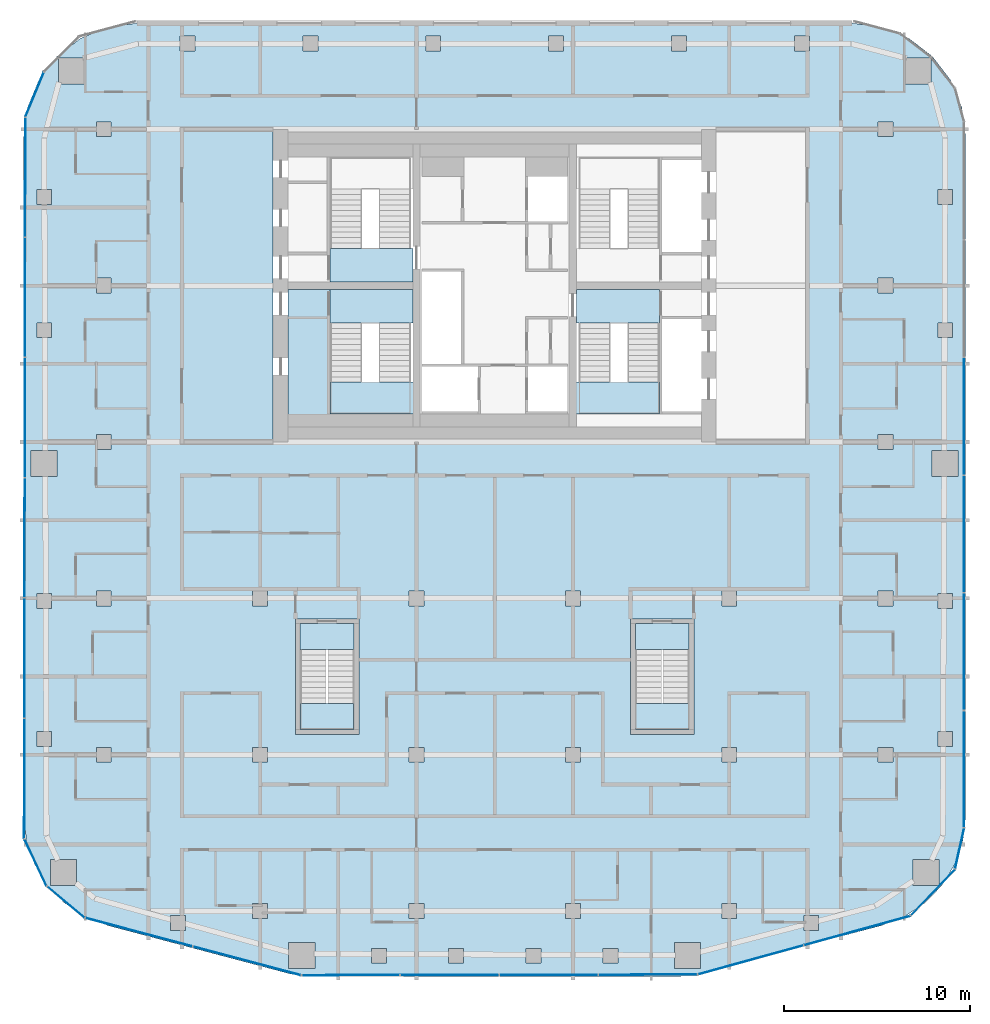
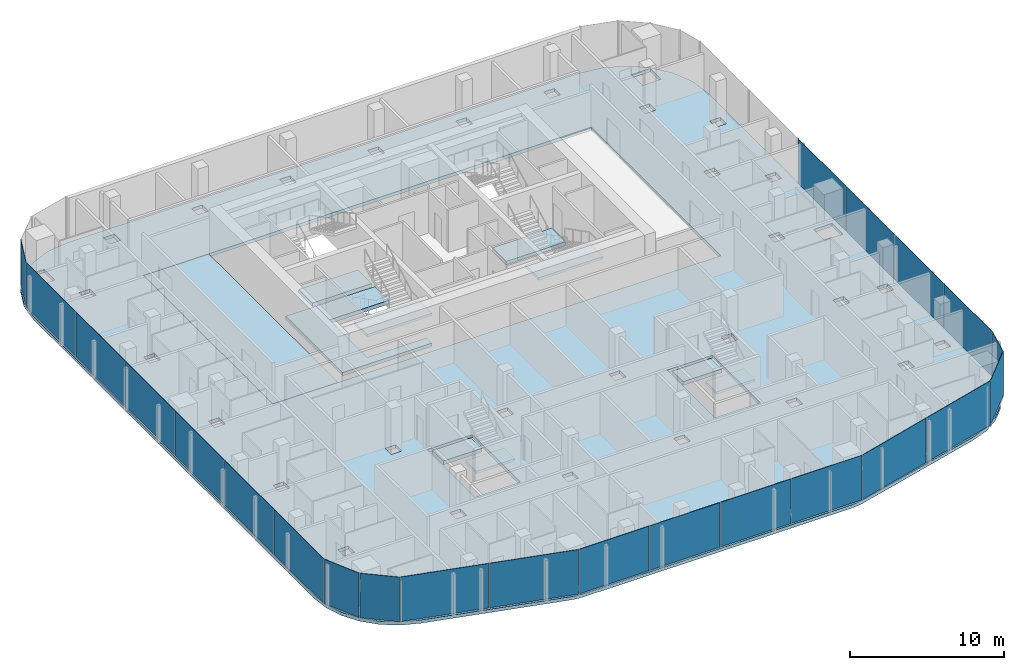
# One storey, part 12 of 22: 23 plates, 12 slabs, 14 elements without a shape of their own.
"""IFC4 building model written with IfcOpenShell, lengths in metres."""

from ifc_helpers import new_model, si_unit, direction, frame, origin, origin_2d, place, context, subcontext, project, spatial, polyline, rectangle, outline, extrude, material, layer, layer_set, type_object, element, aggregate, save


model = new_model("IFC4")

# Units and contexts
model_context = context("Model", 3, precision=1e-05, world=origin(), true_north=direction((0.0, 1.0)))
body_context = subcontext(model_context, "Body", "Model", "MODEL_VIEW")
ifc_project = project(units=[si_unit("LENGTHUNIT", "METRE"), si_unit("AREAUNIT", "SQUARE_METRE"), si_unit("VOLUMEUNIT", "CUBIC_METRE"), si_unit("PLANEANGLEUNIT", "RADIAN"), si_unit("MASSUNIT", "GRAM", prefix="KILO")], contexts=[model_context])

# Site, building, storey
site_placement = place(None, origin())
site = spatial("IfcSite", under=ifc_project, at=site_placement, CompositionType="ELEMENT")
building_placement = place(site_placement, origin())
building = spatial("IfcBuilding", under=site, at=building_placement, Name="Marenta Gate Hotel Tower", CompositionType="ELEMENT")
storey_placement = place(building_placement, frame((0.0, 0.0, 187.699951171875)))
storey = spatial("IfcBuildingStorey", under=building, at=storey_placement, Name="L42", CompositionType="ELEMENT", Elevation=187.699951171875)

# Slabs
ifc_material_1 = material(Name="Concrete C35", Category="concrete")
ifc_layer_1 = layer(ifc_material_1, 0.260009765625)
ifc_layer_set_1 = layer_set([ifc_layer_1], Name="Concrete C35")
slab_type_1 = type_object("IfcSlabType", Name="Concrete floor slab 260", PredefinedType="FLOOR", material=ifc_layer_set_1)
slab_1_placement = place(storey_placement, frame((0.0, 0.0, -0.260009765625)))
element("IfcSlab", 1, at=slab_1_placement, inside=storey, type_object=slab_type_1, Name="L42-SL-1", PredefinedType="FLOOR", context=body_context, shape_type="SweptSolid", body=[
    extrude(outline(polyline([(-23.11376953125, -24.76416015625), (-24.035400390625, -23.803955078125), (-24.72705078125, -22.6669921875), (-25.155517578125, -21.4072265625), (-25.300048828125, -20.08984375), (-25.300048828125, 16.406494140625), (-25.093017578125, 17.97900390625), (-24.483642578125, 19.450439453125), (-23.513916015625, 20.7138671875), (-22.25048828125, 21.68359375), (-20.779052734375, 22.29296875), (-19.20654296875, 22.5), (19.20654296875, 22.5), (20.779052734375, 22.29296875), (22.25048828125, 21.68359375), (23.513916015625, 20.7138671875), (24.483642578125, 19.450439453125), (25.093017578125, 17.97900390625), (25.300048828125, 16.406494140625), (25.300048828125, -20.08984375), (25.155517578125, -21.4072265625), (24.72705078125, -22.6669921875), (24.035400390625, -23.803955078125), (23.11376953125, -24.76416015625), (22.005859375, -25.501220703125), (20.76953125, -25.978759765625), (11.026611328125, -28.563720703125), (10.508544921875, -28.665771484375), (9.981689453125, -28.699951171875), (-9.981689453125, -28.699951171875), (-10.508544921875, -28.665771484375), (-11.026611328125, -28.563720703125), (-20.76953125, -25.978759765625), (-22.005859375, -25.501220703125), (-23.11376953125, -24.76416015625)]), holes=[polyline([(-16.800048828125, 0.0), (16.800048828125, 0.0), (16.800048828125, 16.800048828125), (-16.800048828125, 16.800048828125), (-16.800048828125, 0.0)]), polyline([(-16.606689453125, -25.439208984375), (-17.40673828125, -25.439208984375), (-17.40673828125, -26.239013671875), (-16.606689453125, -26.239013671875), (-16.606689453125, -25.439208984375)]), polyline([(-12.199951171875, -25.60009765625), (-12.199951171875, -24.800048828125), (-13.0, -24.800048828125), (-13.0, -25.60009765625), (-12.199951171875, -25.60009765625)]), polyline([(-22.462890625, -23.8330078125), (-22.462890625, -22.43310546875), (-23.863037109375, -22.43310546875), (-23.863037109375, -23.8330078125), (-22.462890625, -23.8330078125)]), polyline([(-12.199951171875, -16.39990234375), (-13.0, -16.39990234375), (-13.0, -17.199951171875), (-12.199951171875, -17.199951171875), (-12.199951171875, -16.39990234375)]), polyline([(-20.60009765625, -17.199951171875), (-20.60009765625, -16.39990234375), (-21.39990234375, -16.39990234375), (-21.39990234375, -17.199951171875), (-20.60009765625, -17.199951171875)]), polyline([(-23.800048828125, -16.351806640625), (-23.800048828125, -15.552001953125), (-24.60009765625, -15.552001953125), (-24.60009765625, -16.351806640625), (-23.800048828125, -16.351806640625)]), polyline([(-23.800048828125, -8.15087890625), (-24.60009765625, -8.15087890625), (-24.60009765625, -8.950927734375), (-23.800048828125, -8.950927734375), (-23.800048828125, -8.15087890625)]), polyline([(-12.199951171875, -8.800048828125), (-12.199951171875, -8.0), (-13.0, -8.0), (-13.0, -8.800048828125), (-12.199951171875, -8.800048828125)]), polyline([(-20.60009765625, -8.800048828125), (-20.60009765625, -8.0), (-21.39990234375, -8.0), (-21.39990234375, -8.800048828125), (-20.60009765625, -8.800048828125)]), polyline([(-23.5, -0.449951171875), (-24.89990234375, -0.449951171875), (-24.89990234375, -1.85009765625), (-23.5, -1.85009765625), (-23.5, -0.449951171875)]), polyline([(-20.60009765625, -0.39990234375), (-20.60009765625, 0.39990234375), (-21.39990234375, 0.39990234375), (-21.39990234375, -0.39990234375), (-20.60009765625, -0.39990234375)]), polyline([(-23.800048828125, 5.603271484375), (-23.800048828125, 6.4033203125), (-24.60009765625, 6.4033203125), (-24.60009765625, 5.603271484375), (-23.800048828125, 5.603271484375)]), polyline([(-20.60009765625, 8.800048828125), (-21.39990234375, 8.800048828125), (-21.39990234375, 8.0), (-20.60009765625, 8.0), (-20.60009765625, 8.800048828125)]), polyline([(-23.800048828125, 12.75634765625), (-23.800048828125, 13.556396484375), (-24.60009765625, 13.556396484375), (-24.60009765625, 12.75634765625), (-23.800048828125, 12.75634765625)]), polyline([(-20.60009765625, 16.39990234375), (-20.60009765625, 17.199951171875), (-21.39990234375, 17.199951171875), (-21.39990234375, 16.39990234375), (-20.60009765625, 16.39990234375)]), polyline([(-22.035400390625, 20.635498046875), (-23.435546875, 20.635498046875), (-23.435546875, 19.235595703125), (-22.035400390625, 19.235595703125), (-22.035400390625, 20.635498046875)]), polyline([(-16.10693359375, 21.0), (-16.10693359375, 21.800048828125), (-16.906982421875, 21.800048828125), (-16.906982421875, 21.0), (-16.10693359375, 21.0)]), polyline([(-5.820068359375, -28.0), (-5.820068359375, -27.199951171875), (-6.6201171875, -27.199951171875), (-6.6201171875, -28.0), (-5.820068359375, -28.0)]), polyline([(6.6201171875, -27.199951171875), (5.820068359375, -27.199951171875), (5.820068359375, -28.0), (6.6201171875, -28.0), (6.6201171875, -27.199951171875)]), polyline([(2.473388671875, -28.0), (2.473388671875, -27.199951171875), (1.67333984375, -27.199951171875), (1.67333984375, -28.0), (2.473388671875, -28.0)]), polyline([(-1.67333984375, -28.0), (-1.67333984375, -27.199951171875), (-2.473388671875, -27.199951171875), (-2.473388671875, -28.0), (-1.67333984375, -28.0)]), polyline([(-9.666259765625, -28.27490234375), (-9.666259765625, -26.874755859375), (-11.06640625, -26.874755859375), (-11.06640625, -28.27490234375), (-9.666259765625, -28.27490234375)]), polyline([(11.06640625, -28.27490234375), (11.06640625, -26.874755859375), (9.666259765625, -26.874755859375), (9.666259765625, -28.27490234375), (11.06640625, -28.27490234375)]), polyline([(13.0, -25.60009765625), (13.0, -24.800048828125), (12.199951171875, -24.800048828125), (12.199951171875, -25.60009765625), (13.0, -25.60009765625)]), polyline([(4.60009765625, -25.60009765625), (4.60009765625, -24.800048828125), (3.800048828125, -24.800048828125), (3.800048828125, -25.60009765625), (4.60009765625, -25.60009765625)]), polyline([(-3.800048828125, -24.800048828125), (-4.60009765625, -24.800048828125), (-4.60009765625, -25.60009765625), (-3.800048828125, -25.60009765625), (-3.800048828125, -24.800048828125)]), polyline([(4.60009765625, -17.199951171875), (4.60009765625, -16.39990234375), (3.800048828125, -16.39990234375), (3.800048828125, -17.199951171875), (4.60009765625, -17.199951171875)]), polyline([(-3.800048828125, -17.199951171875), (-3.800048828125, -16.39990234375), (-4.60009765625, -16.39990234375), (-4.60009765625, -17.199951171875), (-3.800048828125, -17.199951171875)]), polyline([(4.60009765625, -8.0), (3.800048828125, -8.0), (3.800048828125, -8.800048828125), (4.60009765625, -8.800048828125), (4.60009765625, -8.0)]), polyline([(-3.800048828125, -8.800048828125), (-3.800048828125, -8.0), (-4.60009765625, -8.0), (-4.60009765625, -8.800048828125), (-3.800048828125, -8.800048828125)]), polyline([(-2.9013671875, 21.0), (-2.9013671875, 21.800048828125), (-3.701416015625, 21.800048828125), (-3.701416015625, 21.0), (-2.9013671875, 21.0)]), polyline([(3.701416015625, 21.800048828125), (2.9013671875, 21.800048828125), (2.9013671875, 21.0), (3.701416015625, 21.0), (3.701416015625, 21.800048828125)]), polyline([(10.30419921875, 21.0), (10.30419921875, 21.800048828125), (9.504150390625, 21.800048828125), (9.504150390625, 21.0), (10.30419921875, 21.0)]), polyline([(-9.504150390625, 21.0), (-9.504150390625, 21.800048828125), (-10.30419921875, 21.800048828125), (-10.30419921875, 21.0), (-9.504150390625, 21.0)]), polyline([(17.40673828125, -25.439208984375), (16.606689453125, -25.439208984375), (16.606689453125, -26.239013671875), (17.40673828125, -26.239013671875), (17.40673828125, -25.439208984375)]), polyline([(23.863037109375, -23.8330078125), (23.863037109375, -22.43310546875), (22.462890625, -22.43310546875), (22.462890625, -23.8330078125), (23.863037109375, -23.8330078125)]), polyline([(13.0, -17.199951171875), (13.0, -16.39990234375), (12.199951171875, -16.39990234375), (12.199951171875, -17.199951171875), (13.0, -17.199951171875)]), polyline([(21.39990234375, -16.39990234375), (20.60009765625, -16.39990234375), (20.60009765625, -17.199951171875), (21.39990234375, -17.199951171875), (21.39990234375, -16.39990234375)]), polyline([(24.60009765625, -16.351806640625), (24.60009765625, -15.552001953125), (23.800048828125, -15.552001953125), (23.800048828125, -16.351806640625), (24.60009765625, -16.351806640625)]), polyline([(24.60009765625, -8.950927734375), (24.60009765625, -8.15087890625), (23.800048828125, -8.15087890625), (23.800048828125, -8.950927734375), (24.60009765625, -8.950927734375)]), polyline([(13.0, -8.0), (12.199951171875, -8.0), (12.199951171875, -8.800048828125), (13.0, -8.800048828125), (13.0, -8.0)]), polyline([(21.39990234375, -8.800048828125), (21.39990234375, -8.0), (20.60009765625, -8.0), (20.60009765625, -8.800048828125), (21.39990234375, -8.800048828125)]), polyline([(24.89990234375, -1.85009765625), (24.89990234375, -0.449951171875), (23.5, -0.449951171875), (23.5, -1.85009765625), (24.89990234375, -1.85009765625)]), polyline([(21.39990234375, 0.39990234375), (20.60009765625, 0.39990234375), (20.60009765625, -0.39990234375), (21.39990234375, -0.39990234375), (21.39990234375, 0.39990234375)]), polyline([(24.60009765625, 5.603271484375), (24.60009765625, 6.4033203125), (23.800048828125, 6.4033203125), (23.800048828125, 5.603271484375), (24.60009765625, 5.603271484375)]), polyline([(21.39990234375, 8.0), (21.39990234375, 8.800048828125), (20.60009765625, 8.800048828125), (20.60009765625, 8.0), (21.39990234375, 8.0)]), polyline([(24.60009765625, 12.75634765625), (24.60009765625, 13.556396484375), (23.800048828125, 13.556396484375), (23.800048828125, 12.75634765625), (24.60009765625, 12.75634765625)]), polyline([(21.39990234375, 16.39990234375), (21.39990234375, 17.199951171875), (20.60009765625, 17.199951171875), (20.60009765625, 16.39990234375), (21.39990234375, 16.39990234375)]), polyline([(23.435546875, 19.235595703125), (23.435546875, 20.635498046875), (22.035400390625, 20.635498046875), (22.035400390625, 19.235595703125), (23.435546875, 19.235595703125)]), polyline([(16.906982421875, 21.0), (16.906982421875, 21.800048828125), (16.10693359375, 21.800048828125), (16.10693359375, 21.0), (16.906982421875, 21.0)]), polyline([(-7.300048828125, -15.699951171875), (-7.300048828125, -9.5), (-10.699951171875, -9.5), (-10.699951171875, -15.699951171875), (-7.300048828125, -15.699951171875)]), polyline([(10.699951171875, -15.699951171875), (10.699951171875, -9.5), (7.300048828125, -9.5), (7.300048828125, -15.699951171875), (10.699951171875, -15.699951171875)])]), origin(), (0.0, 0.0, 1.0), 0.260009765625),
])
ifc_material_2 = material(Name="Concrete C40", Category="concrete")
ifc_layer_2 = layer(ifc_material_2, 0.260009765625)
ifc_layer_set_2 = layer_set([ifc_layer_2], Name="Concrete C40")
slab_type_2 = type_object("IfcSlabType", Name="Core floor slab 260", PredefinedType="FLOOR", material=ifc_layer_set_2)
slab_2_placement = place(storey_placement, frame((0.0, 0.0, -0.260009765625)))
element("IfcSlab", 2, at=slab_2_placement, inside=storey, type_object=slab_type_2, Name="L42-CF-5", PredefinedType="FLOOR", context=body_context, shape_type="SweptSolid", body=[
    extrude(outline(polyline([(-8.85009765625, 8.199951171875), (-8.85009765625, 8.10009765625), (-8.85009765625, 6.39990234375), (-8.85009765625, 1.5), (-4.39990234375, 1.5), (-4.39990234375, 0.800048828125), (-11.10009765625, 0.800048828125), (-11.10009765625, 8.199951171875), (-8.85009765625, 8.199951171875)])), origin(), (0.0, 0.0, 1.0), 0.260009765625),
])
slab_3_placement = place(storey_placement, frame((0.0, 0.0, -0.260009765625)))
element("IfcSlab", 3, at=slab_3_placement, inside=storey, type_object=slab_type_2, Name="L42-CF-7", PredefinedType="FLOOR", context=body_context, shape_type="SweptSolid", body=[
    extrude(outline(polyline([(-11.89990234375, 16.800048828125), (-11.89990234375, 0.0), (-16.800048828125, 0.0), (-16.800048828125, 16.800048828125), (-11.89990234375, 16.800048828125)])), origin(), (0.0, 0.0, 1.0), 0.260009765625),
])

# Stair, slab
ifc_material_3 = material(Name="Concrete C40", Category="concrete")
stair_type_1 = type_object("IfcStairType", Name="Core exit stair 1700 wide", PredefinedType="HALF_TURN_STAIR", material=ifc_material_3)
stair_1_placement = place(storey_placement, origin())
stair_1 = element("IfcStair", 4, at=stair_1_placement, inside=storey, type_object=stair_type_1, Name="Exit stair 1", PredefinedType="HALF_TURN_STAIR")
ifc_material_4 = material(Name="Concrete C40", Category="concrete")
ifc_layer_3 = layer(ifc_material_4, 0.199951171875)
ifc_layer_set_3 = layer_set([ifc_layer_3], Name="Concrete C40")
slab_type_3 = type_object("IfcSlabType", Name="Core stair landing 200", PredefinedType="LANDING", material=ifc_layer_set_3)
slab_4_placement = place(storey_placement, frame((0.0, 0.0, 1.60009765625)))
slab_4 = element("IfcSlab", 5, at=slab_4_placement, type_object=slab_type_3, Name="SL-200 ST1 landing 1", PredefinedType="LANDING", context=body_context, shape_type="SweptSolid", body=[
    extrude(outline(polyline([(-8.85009765625, 1.5), (-4.0, 1.5), (-4.0, 3.2099609375), (-8.85009765625, 3.2099609375), (-8.85009765625, 1.5)])), origin(), (0.0, 0.0, 1.0), 0.199951171875),
])
aggregate(stair_1, [slab_4])

stair_2_placement = place(storey_placement, origin())
stair_2 = element("IfcStair", 6, at=stair_2_placement, inside=storey, type_object=stair_type_1, Name="Exit stair 3", PredefinedType="HALF_TURN_STAIR")
slab_5_placement = place(storey_placement, frame((0.0, 0.0, 1.60009765625)))
slab_5 = element("IfcSlab", 7, at=slab_5_placement, type_object=slab_type_3, Name="SL-200 ST3 landing 1", PredefinedType="LANDING", context=body_context, shape_type="SweptSolid", body=[
    extrude(outline(polyline([(4.0, 1.5), (8.85009765625, 1.5), (8.85009765625, 3.2099609375), (4.0, 3.2099609375), (4.0, 1.5)])), origin(), (0.0, 0.0, 1.0), 0.199951171875),
])
aggregate(stair_2, [slab_5])

# Curtain wall, plate
ifc_material_5 = material(Name="Tinted insulated glass in bronze anodised frame", Category="glass")
ifc_layer_4 = layer(ifc_material_5, 0.1201171875)
ifc_layer_set_4 = layer_set([ifc_layer_4], Name="Tinted insulated glass in bronze anodised frame")
curtain_wall_type = type_object("IfcCurtainWallType", Name="Tower unitised curtain wall CW1", PredefinedType="NOTDEFINED", material=ifc_layer_set_4)
curtain_wall_1_placement = place(storey_placement, origin())
curtain_wall_1 = element("IfcCurtainWall", 8, at=curtain_wall_1_placement, inside=storey, type_object=curtain_wall_type, Name="CW1 run G02", PredefinedType="NOTDEFINED")
ifc_material_6 = material(Name="Tinted insulated glass", Category="glass")
ifc_layer_5 = layer(ifc_material_6, 0.028076171875)
ifc_layer_set_5 = layer_set([ifc_layer_5], Name="Tinted insulated glass")
plate_type = type_object("IfcPlateType", Name="Glass panel CW1 28 mm tinted insulated unit", PredefinedType="CURTAIN_PANEL", material=ifc_layer_set_5)
plate_1_placement = place(storey_placement, frame((-24.719482421875, 18.656005859375, 0.06005859375), z_axis=(0.0, 0.0, 1.0), x_axis=(-0.382666772044, -0.923886433266, 0.0)))
plate_1 = element("IfcPlate", 9, at=plate_1_placement, type_object=plate_type, Name="CW1 panel 1.1", PredefinedType="CURTAIN_PANEL", context=body_context, shape_type="SweptSolid", body=[
    extrude(rectangle(XDim=2.57568359375, YDim=0.028076171875, at=origin_2d()), origin(), (0.0, 0.0, 1.0), 3.5400390625),
])
aggregate(curtain_wall_1, [plate_1])

# Curtain wall, plates
curtain_wall_2_placement = place(storey_placement, origin())
curtain_wall_2 = element("IfcCurtainWall", 10, at=curtain_wall_2_placement, inside=storey, type_object=curtain_wall_type, Name="CW1 run G03", PredefinedType="NOTDEFINED")
plate_2_placement = place(storey_placement, frame((-25.21728515625, 14.22119140625, 0.06005859375), z_axis=(0.0, 0.0, 1.0), x_axis=(-0.001566045546, -0.99999877375, 0.0)))
plate_2 = element("IfcPlate", 11, at=plate_2_placement, type_object=plate_type, Name="CW1 panel 1.1", PredefinedType="CURTAIN_PANEL", context=body_context, shape_type="SweptSolid", body=[
    extrude(rectangle(XDim=6.3701171875, YDim=0.028076171875, at=origin_2d()), origin(), (0.0, 0.0, 1.0), 3.5400390625),
])
plate_3_placement = place(storey_placement, frame((-25.2275390625, 7.776123046875, 0.06005859375), z_axis=(0.0, 0.0, 1.0), x_axis=(-0.001566045546, -0.99999877375, 0.0)))
plate_3 = element("IfcPlate", 12, at=plate_3_placement, type_object=plate_type, Name="CW1 panel 2.1", PredefinedType="CURTAIN_PANEL", context=body_context, shape_type="SweptSolid", body=[
    extrude(rectangle(XDim=6.39990234375, YDim=0.028076171875, at=origin_2d()), origin(), (0.0, 0.0, 1.0), 3.5400390625),
])
plate_4_placement = place(storey_placement, frame((-25.237548828125, 1.316162109375, 0.06005859375), z_axis=(0.0, 0.0, 1.0), x_axis=(-0.001566045546, -0.99999877375, 0.0)))
plate_4 = element("IfcPlate", 13, at=plate_4_placement, type_object=plate_type, Name="CW1 panel 3.1", PredefinedType="CURTAIN_PANEL", context=body_context, shape_type="SweptSolid", body=[
    extrude(rectangle(XDim=6.39990234375, YDim=0.028076171875, at=origin_2d()), origin(), (0.0, 0.0, 1.0), 3.5400390625),
])
plate_5_placement = place(storey_placement, frame((-25.247802734375, -5.143798828125, 0.06005859375), z_axis=(0.0, 0.0, 1.0), x_axis=(-0.001566045546, -0.99999877375, 0.0)))
plate_5 = element("IfcPlate", 14, at=plate_5_placement, type_object=plate_type, Name="CW1 panel 4.1", PredefinedType="CURTAIN_PANEL", context=body_context, shape_type="SweptSolid", body=[
    extrude(rectangle(XDim=6.39990234375, YDim=0.028076171875, at=origin_2d()), origin(), (0.0, 0.0, 1.0), 3.5400390625),
])
plate_6_placement = place(storey_placement, frame((-25.2578125, -11.603759765625, 0.06005859375), z_axis=(0.0, 0.0, 1.0), x_axis=(-0.001566045546, -0.99999877375, 0.0)))
plate_6 = element("IfcPlate", 15, at=plate_6_placement, type_object=plate_type, Name="CW1 panel 5.1", PredefinedType="CURTAIN_PANEL", context=body_context, shape_type="SweptSolid", body=[
    extrude(rectangle(XDim=6.39990234375, YDim=0.028076171875, at=origin_2d()), origin(), (0.0, 0.0, 1.0), 3.5400390625),
])
plate_7_placement = place(storey_placement, frame((-25.26806640625, -18.078857421875, 0.06005859375), z_axis=(0.0, 0.0, 1.0), x_axis=(-0.001566045546, -0.99999877375, 0.0)))
plate_7 = element("IfcPlate", 16, at=plate_7_placement, type_object=plate_type, Name="CW1 panel 6.1", PredefinedType="CURTAIN_PANEL", context=body_context, shape_type="SweptSolid", body=[
    extrude(rectangle(XDim=6.429931640625, YDim=0.028076171875, at=origin_2d()), origin(), (0.0, 0.0, 1.0), 3.5400390625),
])
aggregate(curtain_wall_2, [plate_2, plate_3, plate_4, plate_5, plate_6, plate_7])

# Curtain wall, plate
curtain_wall_3_placement = place(storey_placement, origin())
curtain_wall_3 = element("IfcCurtainWall", 17, at=curtain_wall_3_placement, inside=storey, type_object=curtain_wall_type, Name="CW1 run G04", PredefinedType="NOTDEFINED")
plate_8_placement = place(storey_placement, frame((-24.665283203125, -22.594482421875, 0.06005859375), z_axis=(0.0, 0.0, 1.0), x_axis=(0.42333719762, -0.905972194447, 0.0)))
plate_8 = element("IfcPlate", 18, at=plate_8_placement, type_object=plate_type, Name="CW1 panel 1.1", PredefinedType="CURTAIN_PANEL", context=body_context, shape_type="SweptSolid", body=[
    extrude(rectangle(XDim=2.751220703125, YDim=0.028076171875, at=origin_2d()), origin(), (0.0, 0.0, 1.0), 3.5400390625),
])
aggregate(curtain_wall_3, [plate_8])

curtain_wall_4_placement = place(storey_placement, origin())
curtain_wall_4 = element("IfcCurtainWall", 19, at=curtain_wall_4_placement, inside=storey, type_object=curtain_wall_type, Name="CW1 run G05", PredefinedType="NOTDEFINED")
plate_9_placement = place(storey_placement, frame((-23.0361328125, -24.716064453125, 0.06005859375), z_axis=(0.0, 0.0, 1.0), x_axis=(0.767102345594, -0.641524739495, 0.0)))
plate_9 = element("IfcPlate", 20, at=plate_9_placement, type_object=plate_type, Name="CW1 panel 1.1", PredefinedType="CURTAIN_PANEL", context=body_context, shape_type="SweptSolid", body=[
    extrude(rectangle(XDim=2.609375, YDim=0.028076171875, at=origin_2d()), origin(), (0.0, 0.0, 1.0), 3.5400390625),
])
aggregate(curtain_wall_4, [plate_9])

# Curtain wall, plates
curtain_wall_5_placement = place(storey_placement, origin())
curtain_wall_5 = element("IfcCurtainWall", 21, at=curtain_wall_5_placement, inside=storey, type_object=curtain_wall_type, Name="CW1 run G06", PredefinedType="NOTDEFINED")
plate_10_placement = place(storey_placement, frame((-19.113525390625, -26.33056640625, 0.06005859375), z_axis=(0.0, 0.0, 1.0), x_axis=(0.966374375295, -0.257139197271, 0.0)))
plate_10 = element("IfcPlate", 22, at=plate_10_placement, type_object=plate_type, Name="CW1 panel 1.1", PredefinedType="CURTAIN_PANEL", context=body_context, shape_type="SweptSolid", body=[
    extrude(rectangle(XDim=5.927001953125, YDim=0.028076171875, at=origin_2d()), origin(), (0.0, 0.0, 1.0), 3.5400390625),
])
plate_11_placement = place(storey_placement, frame((-13.298828125, -27.877685546875, 0.06005859375), z_axis=(0.0, 0.0, 1.0), x_axis=(0.966374375295, -0.257139197271, 0.0)))
plate_11 = element("IfcPlate", 23, at=plate_11_placement, type_object=plate_type, Name="CW1 panel 2.1", PredefinedType="CURTAIN_PANEL", context=body_context, shape_type="SweptSolid", body=[
    extrude(rectangle(XDim=5.987060546875, YDim=0.028076171875, at=origin_2d()), origin(), (0.0, 0.0, 1.0), 3.5400390625),
])
aggregate(curtain_wall_5, [plate_10, plate_11])

curtain_wall_6_placement = place(storey_placement, origin())
curtain_wall_6 = element("IfcCurtainWall", 24, at=curtain_wall_6_placement, inside=storey, type_object=curtain_wall_type, Name="CW1 run G07", PredefinedType="NOTDEFINED")
plate_12_placement = place(storey_placement, frame((-7.73095703125, -28.64306640625, 0.06005859375), z_axis=(0.0, 0.0, 1.0), x_axis=(0.999998647385, 0.001644757804, 0.0)))
plate_12 = element("IfcPlate", 25, at=plate_12_placement, type_object=plate_type, Name="CW1 panel 1.1", PredefinedType="CURTAIN_PANEL", context=body_context, shape_type="SweptSolid", body=[
    extrude(rectangle(XDim=5.22998046875, YDim=0.028076171875, at=origin_2d()), origin(), (0.0, 0.0, 1.0), 3.5400390625),
])
plate_13_placement = place(storey_placement, frame((-2.426025390625, -28.63427734375, 0.06005859375), z_axis=(0.0, 0.0, 1.0), x_axis=(0.999998647385, 0.001644757804, 0.0)))
plate_13 = element("IfcPlate", 26, at=plate_13_placement, type_object=plate_type, Name="CW1 panel 2.1", PredefinedType="CURTAIN_PANEL", context=body_context, shape_type="SweptSolid", body=[
    extrude(rectangle(XDim=5.260009765625, YDim=0.028076171875, at=origin_2d()), origin(), (0.0, 0.0, 1.0), 3.5400390625),
])
plate_14_placement = place(storey_placement, frame((2.893798828125, -28.625732421875, 0.06005859375), z_axis=(0.0, 0.0, 1.0), x_axis=(0.999998647385, 0.001644757804, 0.0)))
plate_14 = element("IfcPlate", 27, at=plate_14_placement, type_object=plate_type, Name="CW1 panel 3.1", PredefinedType="CURTAIN_PANEL", context=body_context, shape_type="SweptSolid", body=[
    extrude(rectangle(XDim=5.260009765625, YDim=0.028076171875, at=origin_2d()), origin(), (0.0, 0.0, 1.0), 3.5400390625),
])
plate_15_placement = place(storey_placement, frame((8.228759765625, -28.616943359375, 0.06005859375), z_axis=(0.0, 0.0, 1.0), x_axis=(0.999998647385, 0.001644757804, 0.0)))
plate_15 = element("IfcPlate", 28, at=plate_15_placement, type_object=plate_type, Name="CW1 panel 4.1", PredefinedType="CURTAIN_PANEL", context=body_context, shape_type="SweptSolid", body=[
    extrude(rectangle(XDim=5.289794921875, YDim=0.028076171875, at=origin_2d()), origin(), (0.0, 0.0, 1.0), 3.5400390625),
])
aggregate(curtain_wall_6, [plate_12, plate_13, plate_14, plate_15])

curtain_wall_7_placement = place(storey_placement, origin())
curtain_wall_7 = element("IfcCurtainWall", 29, at=curtain_wall_7_placement, inside=storey, type_object=curtain_wall_type, Name="CW1 run G08", PredefinedType="NOTDEFINED")
plate_16_placement = place(storey_placement, frame((13.7509765625, -27.82080078125, 0.06005859375), z_axis=(0.0, 0.0, 1.0), x_axis=(0.964167765212, 0.265293272675, 0.0)))
plate_16 = element("IfcPlate", 30, at=plate_16_placement, type_object=plate_type, Name="CW1 panel 1.1", PredefinedType="CURTAIN_PANEL", context=body_context, shape_type="SweptSolid", body=[
    extrude(rectangle(XDim=5.848388671875, YDim=0.028076171875, at=origin_2d()), origin(), (0.0, 0.0, 1.0), 3.5400390625),
])
plate_17_placement = place(storey_placement, frame((19.4765625, -26.245361328125, 0.06005859375), z_axis=(0.0, 0.0, 1.0), x_axis=(0.964167765212, 0.265293272675, 0.0)))
plate_17 = element("IfcPlate", 31, at=plate_17_placement, type_object=plate_type, Name="CW1 panel 2.1", PredefinedType="CURTAIN_PANEL", context=body_context, shape_type="SweptSolid", body=[
    extrude(rectangle(XDim=5.908203125, YDim=0.028076171875, at=origin_2d()), origin(), (0.0, 0.0, 1.0), 3.5400390625),
])
aggregate(curtain_wall_7, [plate_16, plate_17])

# Curtain wall, plate
curtain_wall_8_placement = place(storey_placement, origin())
curtain_wall_8 = element("IfcCurtainWall", 32, at=curtain_wall_8_placement, inside=storey, type_object=curtain_wall_type, Name="CW1 run G09", PredefinedType="NOTDEFINED")
plate_18_placement = place(storey_placement, frame((23.543212890625, -24.1923828125, 0.06005859375), z_axis=(0.0, 0.0, 1.0), x_axis=(0.692548076564, 0.72137172224, 0.0)))
plate_18 = element("IfcPlate", 33, at=plate_18_placement, type_object=plate_type, Name="CW1 panel 1.1", PredefinedType="CURTAIN_PANEL", context=body_context, shape_type="SweptSolid", body=[
    extrude(rectangle(XDim=3.39892578125, YDim=0.028076171875, at=origin_2d()), origin(), (0.0, 0.0, 1.0), 3.5400390625),
])
aggregate(curtain_wall_8, [plate_18])

curtain_wall_9_placement = place(storey_placement, origin())
curtain_wall_9 = element("IfcCurtainWall", 34, at=curtain_wall_9_placement, inside=storey, type_object=curtain_wall_type, Name="CW1 run G10", PredefinedType="NOTDEFINED")
plate_19_placement = place(storey_placement, frame((24.9736328125, -21.825927734375, 0.06005859375), z_axis=(0.0, 0.0, 1.0), x_axis=(0.216842096529, 0.97620669183, 0.0)))
plate_19 = element("IfcPlate", 35, at=plate_19_placement, type_object=plate_type, Name="CW1 panel 1.1", PredefinedType="CURTAIN_PANEL", context=body_context, shape_type="SweptSolid", body=[
    extrude(rectangle(XDim=2.216796875, YDim=0.028076171875, at=origin_2d()), origin(), (0.0, 0.0, 1.0), 3.5400390625),
])
aggregate(curtain_wall_9, [plate_19])

# Curtain wall, plates
curtain_wall_10_placement = place(storey_placement, origin())
curtain_wall_10 = element("IfcCurtainWall", 36, at=curtain_wall_10_placement, inside=storey, type_object=curtain_wall_type, Name="CW1 run G11", PredefinedType="NOTDEFINED")
plate_20_placement = place(storey_placement, frame((25.214111328125, -17.567626953125, 0.06005859375), z_axis=(0.0, 0.0, 1.0), x_axis=(0.0, 1.0, 0.0)))
plate_20 = element("IfcPlate", 37, at=plate_20_placement, type_object=plate_type, Name="CW1 panel 1.1", PredefinedType="CURTAIN_PANEL", context=body_context, shape_type="SweptSolid", body=[
    extrude(rectangle(XDim=6.232666015625, YDim=0.028076171875, at=origin_2d()), origin(), (0.0, 0.0, 1.0), 3.5400390625),
])
plate_21_placement = place(storey_placement, frame((25.214111328125, -11.260009765625, 0.06005859375), z_axis=(0.0, 0.0, 1.0), x_axis=(0.0, 1.0, 0.0)))
plate_21 = element("IfcPlate", 38, at=plate_21_placement, type_object=plate_type, Name="CW1 panel 2.1", PredefinedType="CURTAIN_PANEL", context=body_context, shape_type="SweptSolid", body=[
    extrude(rectangle(XDim=6.2626953125, YDim=0.028076171875, at=origin_2d()), origin(), (0.0, 0.0, 1.0), 3.5400390625),
])
plate_22_placement = place(storey_placement, frame((25.214111328125, -4.937255859375, 0.06005859375), z_axis=(0.0, 0.0, 1.0), x_axis=(0.0, 1.0, 0.0)))
plate_22 = element("IfcPlate", 39, at=plate_22_placement, type_object=plate_type, Name="CW1 panel 3.1", PredefinedType="CURTAIN_PANEL", context=body_context, shape_type="SweptSolid", body=[
    extrude(rectangle(XDim=6.2626953125, YDim=0.028076171875, at=origin_2d()), origin(), (0.0, 0.0, 1.0), 3.5400390625),
])
plate_23_placement = place(storey_placement, frame((25.214111328125, 1.38525390625, 0.06005859375), z_axis=(0.0, 0.0, 1.0), x_axis=(0.0, 1.0, 0.0)))
plate_23 = element("IfcPlate", 40, at=plate_23_placement, type_object=plate_type, Name="CW1 panel 4.1", PredefinedType="CURTAIN_PANEL", context=body_context, shape_type="SweptSolid", body=[
    extrude(rectangle(XDim=6.2626953125, YDim=0.028076171875, at=origin_2d()), origin(), (0.0, 0.0, 1.0), 3.5400390625),
])
aggregate(curtain_wall_10, [plate_20, plate_21, plate_22, plate_23])

# Stair, slab
ifc_material_7 = material(Name="Concrete C40", Category="concrete")
stair_type_2 = type_object("IfcStairType", Name="Remote exit stair 1400 wide", PredefinedType="HALF_TURN_STAIR", material=ifc_material_7)
stair_3_placement = place(storey_placement, origin())
stair_3 = element("IfcStair", 41, at=stair_3_placement, inside=storey, type_object=stair_type_2, Name="Exit stair RS-Z3-1", PredefinedType="HALF_TURN_STAIR")
ifc_material_8 = material(Name="Concrete C40", Category="concrete")
ifc_layer_6 = layer(ifc_material_8, 0.199951171875)
ifc_layer_set_6 = layer_set([ifc_layer_6], Name="Concrete C40")
slab_type_4 = type_object("IfcSlabType", Name="Remote stair landing 200", PredefinedType="LANDING", material=ifc_layer_set_6)
slab_6_placement = place(storey_placement, frame((0.0, 0.0, 1.60009765625)))
slab_6 = element("IfcSlab", 42, at=slab_6_placement, type_object=slab_type_4, Name="RL-200 RS-Z3-1 landing 1", PredefinedType="LANDING", context=body_context, shape_type="SweptSolid", body=[
    extrude(outline(polyline([(-10.449951171875, -15.449951171875), (-7.550048828125, -15.449951171875), (-7.550048828125, -14.050048828125), (-10.449951171875, -14.050048828125), (-10.449951171875, -15.449951171875)])), origin(), (0.0, 0.0, 1.0), 0.199951171875),
])
aggregate(stair_3, [slab_6])

stair_4_placement = place(storey_placement, origin())
stair_4 = element("IfcStair", 43, at=stair_4_placement, inside=storey, type_object=stair_type_2, Name="Exit stair RS-Z3-2", PredefinedType="HALF_TURN_STAIR")
slab_7_placement = place(storey_placement, frame((0.0, 0.0, 1.60009765625)))
slab_7 = element("IfcSlab", 44, at=slab_7_placement, type_object=slab_type_4, Name="RL-200 RS-Z3-2 landing 1", PredefinedType="LANDING", context=body_context, shape_type="SweptSolid", body=[
    extrude(outline(polyline([(7.550048828125, -15.449951171875), (10.449951171875, -15.449951171875), (10.449951171875, -14.050048828125), (7.550048828125, -14.050048828125), (7.550048828125, -15.449951171875)])), origin(), (0.0, 0.0, 1.0), 0.199951171875),
])
aggregate(stair_4, [slab_7])

# Slabs
ifc_material_9 = material(Name="Concrete C40", Category="concrete")
ifc_layer_7 = layer(ifc_material_9, 0.300048828125)
ifc_layer_set_7 = layer_set([ifc_layer_7], Name="Concrete C40")
slab_type_5 = type_object("IfcSlabType", Name="Stair floor landing slab 300", PredefinedType="FLOOR", material=ifc_layer_set_7)
slab_8_placement = place(storey_placement, frame((0.0, 0.0, -0.300048828125)))
element("IfcSlab", 45, at=slab_8_placement, inside=storey, type_object=slab_type_5, Name="L42-CL-ST1-1", PredefinedType="FLOOR", context=body_context, shape_type="SweptSolid", body=[
    extrude(outline(polyline([(-4.39990234375, 6.39990234375), (-8.85009765625, 6.39990234375), (-8.85009765625, 8.10009765625), (-8.85009765625, 8.199951171875), (-4.39990234375, 8.199951171875), (-4.39990234375, 6.39990234375)])), origin(), (0.0, 0.0, 1.0), 0.300048828125),
])
slab_9_placement = place(storey_placement, frame((0.0, 0.0, -0.300048828125)))
element("IfcSlab", 46, at=slab_9_placement, inside=storey, type_object=slab_type_5, Name="L42-CL-ST2-1", PredefinedType="FLOOR", context=body_context, shape_type="SweptSolid", body=[
    extrude(outline(polyline([(-4.39990234375, 8.60009765625), (-8.85009765625, 8.60009765625), (-8.85009765625, 8.699951171875), (-8.85009765625, 10.39990234375), (-4.39990234375, 10.39990234375), (-4.39990234375, 8.60009765625)])), origin(), (0.0, 0.0, 1.0), 0.300048828125),
])
slab_10_placement = place(storey_placement, frame((0.0, 0.0, -0.300048828125)))
element("IfcSlab", 47, at=slab_10_placement, inside=storey, type_object=slab_type_5, Name="L42-CL-ST3-1", PredefinedType="FLOOR", context=body_context, shape_type="SweptSolid", body=[
    extrude(outline(polyline([(4.39990234375, 6.39990234375), (4.39990234375, 8.199951171875), (8.85009765625, 8.199951171875), (8.85009765625, 8.10009765625), (8.85009765625, 6.39990234375), (4.39990234375, 6.39990234375)])), origin(), (0.0, 0.0, 1.0), 0.300048828125),
])
slab_11_placement = place(storey_placement, frame((0.0, 0.0, -0.300048828125)))
element("IfcSlab", 48, at=slab_11_placement, inside=storey, type_object=slab_type_5, Name="L42-RS-Z3-1-CL", PredefinedType="FLOOR", context=body_context, shape_type="SweptSolid", body=[
    extrude(outline(polyline([(-7.550048828125, -11.14990234375), (-7.550048828125, -9.75), (-10.449951171875, -9.75), (-10.449951171875, -11.14990234375), (-7.550048828125, -11.14990234375)])), origin(), (0.0, 0.0, 1.0), 0.300048828125),
])
slab_12_placement = place(storey_placement, frame((0.0, 0.0, -0.300048828125)))
element("IfcSlab", 49, at=slab_12_placement, inside=storey, type_object=slab_type_5, Name="L42-RS-Z3-2-CL", PredefinedType="FLOOR", context=body_context, shape_type="SweptSolid", body=[
    extrude(outline(polyline([(10.449951171875, -11.14990234375), (10.449951171875, -9.75), (7.550048828125, -9.75), (7.550048828125, -11.14990234375), (10.449951171875, -11.14990234375)])), origin(), (0.0, 0.0, 1.0), 0.300048828125),
])

save(model, "model.ifc")
